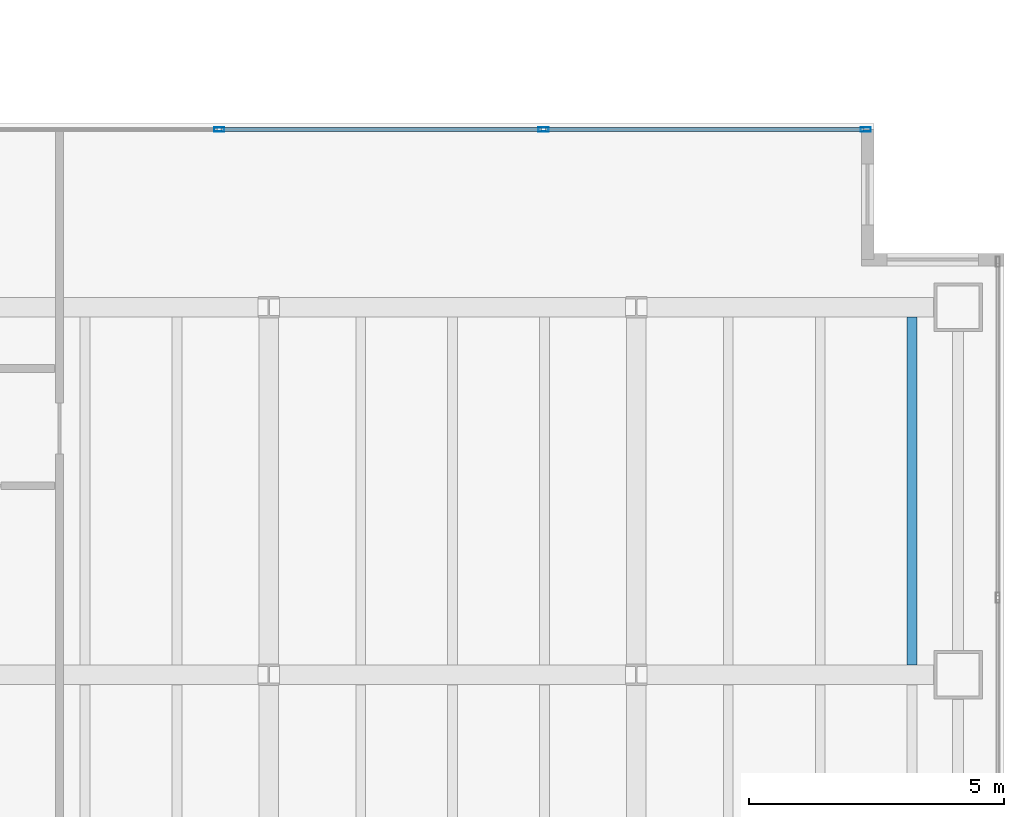
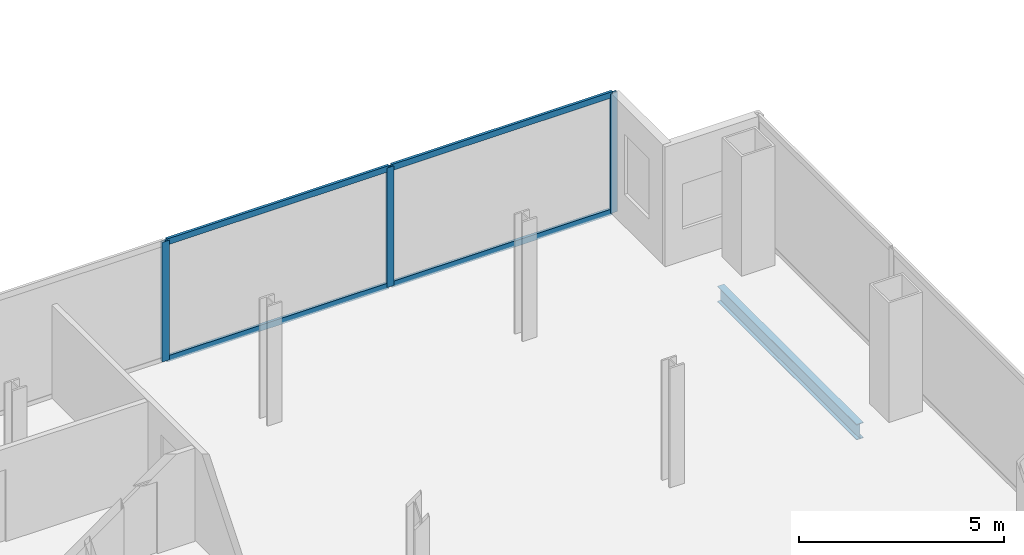
# One storey, part 12 of 23: 7 members, 1 beam, 1 element without a shape of its own.
"""IFC4 building model written with IfcOpenShell, lengths in metres."""

from ifc_helpers import new_model, si_unit, direction, frame, origin, origin_2d, place, context, subcontext, project, spatial, hollow_rectangle, i_section, extrude, material, material_profile, profile_set, type_object, element, aggregate, save


model = new_model("IFC4")

# Units and contexts
model_context = context("Model", 3, precision=1e-05, world=origin(), true_north=direction((0.0, 1.0)))
body_context = subcontext(model_context, "Body", "Model", "MODEL_VIEW")
ifc_project = project(units=[si_unit("LENGTHUNIT", "METRE"), si_unit("AREAUNIT", "SQUARE_METRE"), si_unit("VOLUMEUNIT", "CUBIC_METRE"), si_unit("PLANEANGLEUNIT", "RADIAN"), si_unit("MASSUNIT", "GRAM", prefix="KILO")], contexts=[model_context])

# Site, building, storey
site_placement = place(None, origin())
site = spatial("IfcSite", under=ifc_project, at=site_placement, CompositionType="ELEMENT")
building_placement = place(site_placement, origin())
building = spatial("IfcBuilding", under=site, at=building_placement, Name="Cobrela Telecom Tower", CompositionType="ELEMENT")
storey_placement = place(building_placement, frame((0.0, 0.0, 81.199951171875)))
storey = spatial("IfcBuildingStorey", under=building, at=storey_placement, Name="L20", CompositionType="ELEMENT", Elevation=81.199951171875)

# Beam
ifc_material_1 = material(Name="Steel ASTM A992 Grade 50", Category="steel")
ifc_material_profile_1 = material_profile(ifc_material_1, i_section(OverallWidth=0.193115234375, OverallDepth=0.467041015625, WebThickness=0.011474609375, FlangeThickness=0.01904296875, FilletRadius=0.012939453125, at=origin_2d()), Name="W18X65")
ifc_profile_set_1 = profile_set([ifc_material_profile_1], Name="Steel ASTM A992 Grade 50")
beam_type = type_object("IfcBeamType", Name="BM-JOIST-03", PredefinedType="JOIST", material=ifc_profile_set_1)
beam_placement = place(storey_placement, frame((48.60009765625, 14.595458984375, -0.513427734375), z_axis=(0.0, 1.0, 0.0), x_axis=(-1.0, 0.0, 0.0)))
element("IfcBeam", 1, at=beam_placement, inside=storey, type_object=beam_type, Name="L20 Secondary Composite Floor Beam J64", PredefinedType="JOIST", context=body_context, shape_type="SweptSolid", body=[
    extrude(i_section(OverallWidth=0.193115234375, OverallDepth=0.467041015625, WebThickness=0.011474609375, FlangeThickness=0.01904296875, FilletRadius=0.012939453125, at=origin_2d()), origin(), (0.0, 0.0, 1.0), 6.80908203125),
])

# Curtain wall, members
ifc_material_2 = material(Name="Anodized Bronze Aluminium 6063-T6", Category="aluminium")
curtain_wall_type = type_object("IfcCurtainWallType", Name="CW-SYS-DATA", PredefinedType="USERDEFINED", material=ifc_material_2)
curtain_wall_placement = place(storey_placement, origin())
curtain_wall = element("IfcCurtainWall", 2, at=curtain_wall_placement, inside=storey, type_object=curtain_wall_type, Name="L20 Unitised Bronze Curtain Wall 11", ObjectType="UNITISED CURTAIN WALL", PredefinedType="USERDEFINED")
ifc_material_profile_2 = material_profile(ifc_material_2, hollow_rectangle(XDim=0.080078125, YDim=0.199951171875, WallThickness=0.00390625, at=origin_2d()), Name="ALU 80x200x4")
ifc_profile_set_2 = profile_set([ifc_material_profile_2], Name="Anodized Bronze Aluminium 6063-T6")
member_type_1 = type_object("IfcMemberType", Name="CW-SYS-DATA-MUL", PredefinedType="MULLION", material=ifc_profile_set_2)
member_1_placement = place(storey_placement, frame((35.030029296875, 25.080078125, 0.0), z_axis=(0.0, 0.0, 1.0), x_axis=(0.0, 1.0, 0.0)))
member_1 = element("IfcMember", 3, at=member_1_placement, type_object=member_type_1, Name="CW-DATA mullion 2", PredefinedType="MULLION", context=body_context, shape_type="SweptSolid", body=[
    extrude(hollow_rectangle(XDim=0.080078125, YDim=0.199951171875, WallThickness=0.00390625, at=origin_2d()), origin(), (0.0, 0.0, 1.0), 3.570068359375),
])
member_2_placement = place(storey_placement, frame((41.3798828125, 25.080078125, 0.0), z_axis=(0.0, 0.0, 1.0), x_axis=(0.0, 1.0, 0.0)))
member_2 = element("IfcMember", 4, at=member_2_placement, type_object=member_type_1, Name="CW-DATA mullion 3", PredefinedType="MULLION", context=body_context, shape_type="SweptSolid", body=[
    extrude(hollow_rectangle(XDim=0.080078125, YDim=0.199951171875, WallThickness=0.00390625, at=origin_2d()), origin(), (0.0, 0.0, 1.0), 3.570068359375),
])
member_3_placement = place(storey_placement, frame((47.68994140625, 25.080078125, 0.0), z_axis=(0.0, 0.0, 1.0), x_axis=(0.0, 1.0, 0.0)))
member_3 = element("IfcMember", 5, at=member_3_placement, type_object=member_type_1, Name="CW-DATA mullion 4", PredefinedType="MULLION", context=body_context, shape_type="SweptSolid", body=[
    extrude(hollow_rectangle(XDim=0.080078125, YDim=0.199951171875, WallThickness=0.00390625, at=origin_2d()), origin(), (0.0, 0.0, 1.0), 3.570068359375),
])
ifc_material_profile_3 = material_profile(ifc_material_2, hollow_rectangle(XDim=0.074951171875, YDim=0.179931640625, WallThickness=0.00390625, at=origin_2d()), Name="ALU 75x180x4")
ifc_profile_set_3 = profile_set([ifc_material_profile_3], Name="Anodized Bronze Aluminium 6063-T6")
member_type_2 = type_object("IfcMemberType", Name="CW-SYS-DATA-TRN", PredefinedType="USERDEFINED", material=ifc_profile_set_3)
member_4_placement = place(storey_placement, frame((35.070068359375, 25.080078125, 0.03759765625), z_axis=(1.0, 0.0, 0.0), x_axis=(0.0, 1.0, 0.0)))
member_4 = element("IfcMember", 6, at=member_4_placement, type_object=member_type_2, Name="CW-DATA transom 2.1", ObjectType="TRANSOM", PredefinedType="USERDEFINED", context=body_context, shape_type="SweptSolid", body=[
    extrude(hollow_rectangle(XDim=0.074951171875, YDim=0.179931640625, WallThickness=0.00390625, at=origin_2d()), origin(), (0.0, 0.0, 1.0), 6.27001953125),
])
member_5_placement = place(storey_placement, frame((35.070068359375, 25.080078125, 3.532470703125), z_axis=(1.0, 0.0, 0.0), x_axis=(0.0, 1.0, 0.0)))
member_5 = element("IfcMember", 7, at=member_5_placement, type_object=member_type_2, Name="CW-DATA transom 2.2", ObjectType="TRANSOM", PredefinedType="USERDEFINED", context=body_context, shape_type="SweptSolid", body=[
    extrude(hollow_rectangle(XDim=0.074951171875, YDim=0.179931640625, WallThickness=0.00390625, at=origin_2d()), origin(), (0.0, 0.0, 1.0), 6.27001953125),
])
member_6_placement = place(storey_placement, frame((41.419921875, 25.080078125, 0.03759765625), z_axis=(1.0, 0.0, 0.0), x_axis=(0.0, 1.0, 0.0)))
member_6 = element("IfcMember", 8, at=member_6_placement, type_object=member_type_2, Name="CW-DATA transom 3.1", ObjectType="TRANSOM", PredefinedType="USERDEFINED", context=body_context, shape_type="SweptSolid", body=[
    extrude(hollow_rectangle(XDim=0.074951171875, YDim=0.179931640625, WallThickness=0.00390625, at=origin_2d()), origin(), (0.0, 0.0, 1.0), 6.22998046875),
])
member_7_placement = place(storey_placement, frame((41.419921875, 25.080078125, 3.532470703125), z_axis=(1.0, 0.0, 0.0), x_axis=(0.0, 1.0, 0.0)))
member_7 = element("IfcMember", 9, at=member_7_placement, type_object=member_type_2, Name="CW-DATA transom 3.2", ObjectType="TRANSOM", PredefinedType="USERDEFINED", context=body_context, shape_type="SweptSolid", body=[
    extrude(hollow_rectangle(XDim=0.074951171875, YDim=0.179931640625, WallThickness=0.00390625, at=origin_2d()), origin(), (0.0, 0.0, 1.0), 6.22998046875),
])
aggregate(curtain_wall, [member_1, member_2, member_3, member_4, member_5, member_6, member_7])

save(model, "model.ifc")
